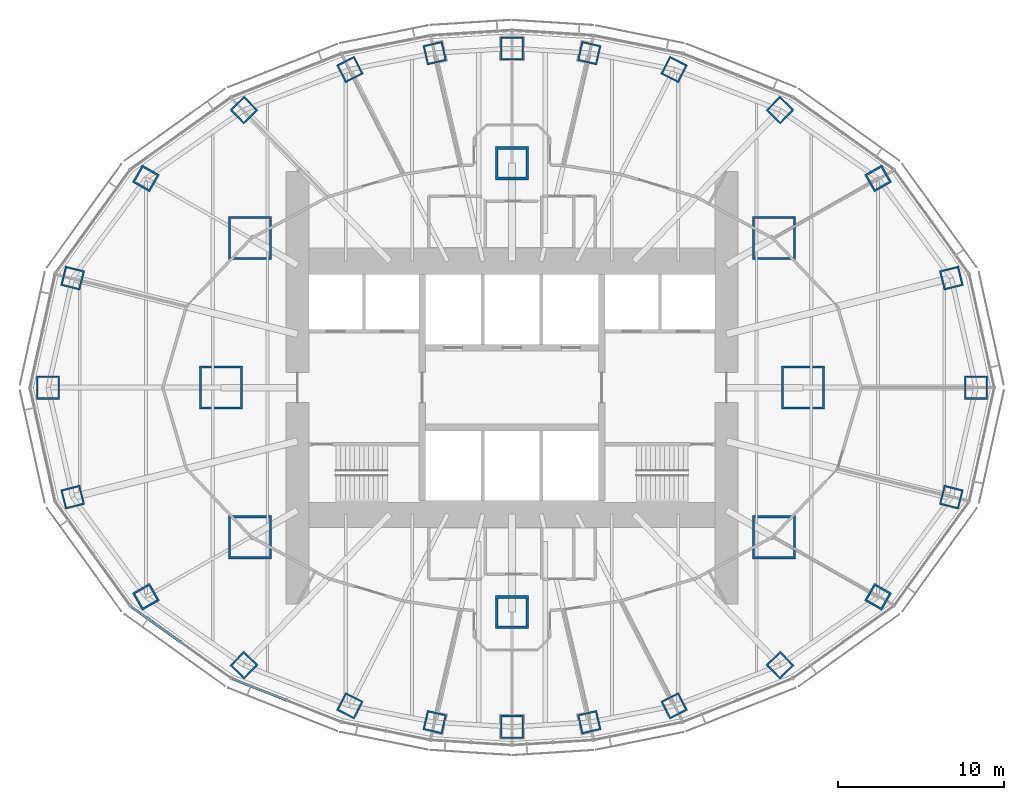
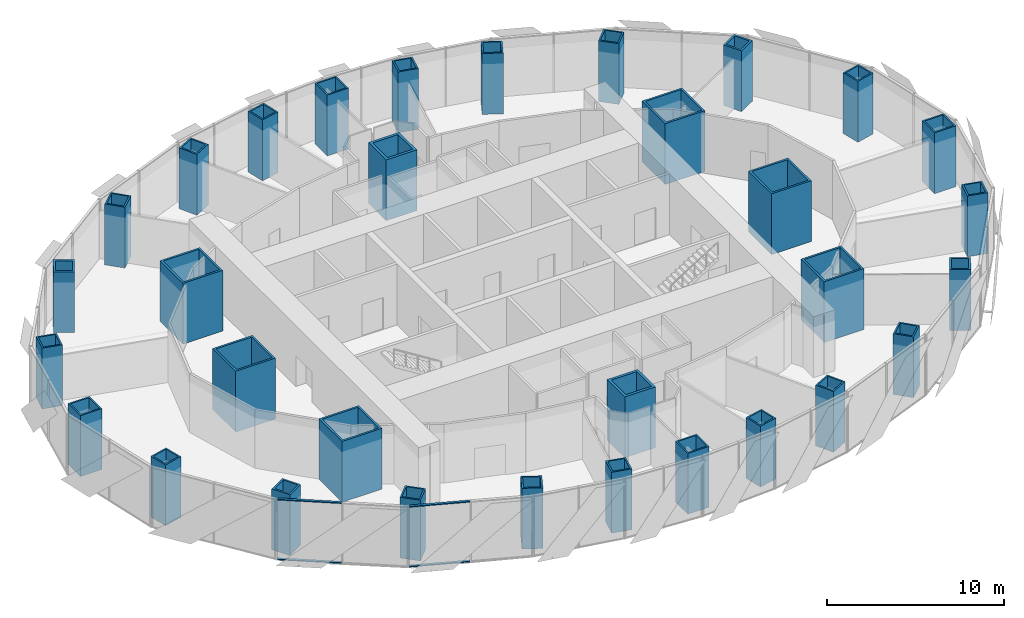
# One storey, part 1 of 18: 32 columns, 4 members, 2 elements without a shape of their own.
"""IFC4 building model written with IfcOpenShell, lengths in metres."""

from ifc_helpers import new_model, si_unit, direction, frame, origin, origin_2d, place, context, subcontext, project, spatial, rectangle, hollow_rectangle, extrude, material, material_profile, profile_set, type_object, element, aggregate, save


model = new_model("IFC4")

# Units and contexts
model_context = context("Model", 3, precision=1e-05, world=origin(), true_north=direction((0.0, 1.0)))
body_context = subcontext(model_context, "Body", "Model", "MODEL_VIEW")
ifc_project = project(units=[si_unit("LENGTHUNIT", "METRE"), si_unit("AREAUNIT", "SQUARE_METRE"), si_unit("VOLUMEUNIT", "CUBIC_METRE"), si_unit("PLANEANGLEUNIT", "RADIAN"), si_unit("MASSUNIT", "GRAM", prefix="KILO")], contexts=[model_context])

# Site, building, storey
site_placement = place(None, origin())
site = spatial("IfcSite", under=ifc_project, at=site_placement, CompositionType="ELEMENT")
building_placement = place(site_placement, origin())
building = spatial("IfcBuilding", under=site, at=building_placement, Name="Lantaw Convention Tower", CompositionType="ELEMENT")
storey_placement = place(building_placement, frame((0.0, 0.0, 142.60009765625)))
storey = spatial("IfcBuildingStorey", under=building, at=storey_placement, Name="L33", CompositionType="ELEMENT", Elevation=142.60009765625)

# Columns
ifc_material_1 = material(Name="Steel EN 10025-3 S460N", Category="steel")
ifc_material_profile_1 = material_profile(ifc_material_1, hollow_rectangle(XDim=2.0, YDim=2.0, WallThickness=0.169921875, at=origin_2d()), Name="BOX2000X170")
ifc_material_2 = material(Name="Concrete C60/75", Category="concrete")
ifc_material_profile_2 = material_profile(ifc_material_2, rectangle(XDim=1.659912109375, YDim=1.659912109375, at=origin_2d()), Name="Concrete fill of BOX2000X170")
ifc_profile_set_1 = profile_set([ifc_material_profile_1, ifc_material_profile_2], Name="Steel EN 10025-3 S460N")
column_type_1 = type_object("IfcColumnType", Name="Column MC BOX2000X170", PredefinedType="COLUMN", material=ifc_profile_set_1)
for number, where, z_axis, x_axis, name in (
    (1, (0.0, 13.5, 0.0), (0.0, 0.0, 1.0), (1.0, 0.0, 0.0), "Mega column M3"),
    (2, (0.0, -13.5, 0.0), (0.0, 0.0, 1.0), (1.0, 0.0, 0.0), "Mega column M7"),
):
    element("IfcColumn", number, at=place(storey_placement, frame(where, z_axis=z_axis, x_axis=x_axis)), inside=storey, type_object=column_type_1, Name=name, PredefinedType="COLUMN", context=body_context, shape_type="SweptSolid", body=[
        extrude(hollow_rectangle(XDim=2.0, YDim=2.0, WallThickness=0.169921875, at=origin_2d()), origin(), (0.0, 0.0, 1.0), 4.199951171875),
    ])
ifc_material_profile_3 = material_profile(ifc_material_1, hollow_rectangle(XDim=2.60009765625, YDim=2.60009765625, WallThickness=0.1298828125, at=origin_2d()), Name="BOX2600X130")
ifc_material_profile_4 = material_profile(ifc_material_2, rectangle(XDim=2.340087890625, YDim=2.340087890625, at=origin_2d()), Name="Concrete fill of BOX2600X130")
ifc_profile_set_2 = profile_set([ifc_material_profile_3, ifc_material_profile_4], Name="Steel EN 10025-3 S460N")
column_type_2 = type_object("IfcColumnType", Name="Column MC BOX2600X130", PredefinedType="COLUMN", material=ifc_profile_set_2)
for number, where, z_axis, x_axis, name in (
    (3, (17.5, 0.0, 0.0), (0.0, 0.0, 1.0), (1.0, 0.0, 0.0), "Mega column M1"),
    (4, (15.75, 9.0, 0.0), (0.0, 0.0, 1.0), (1.0, 0.0, 0.0), "Mega column M2"),
    (5, (-15.75, 9.0, 0.0), (0.0, 0.0, 1.0), (1.0, 0.0, 0.0), "Mega column M4"),
    (6, (-17.5, 0.0, 0.0), (0.0, 0.0, 1.0), (1.0, 0.0, 0.0), "Mega column M5"),
    (7, (-15.75, -9.0, 0.0), (0.0, 0.0, 1.0), (1.0, 0.0, 0.0), "Mega column M6"),
    (8, (15.75, -9.0, 0.0), (0.0, 0.0, 1.0), (1.0, 0.0, 0.0), "Mega column M8"),
):
    element("IfcColumn", number, at=place(storey_placement, frame(where, z_axis=z_axis, x_axis=x_axis)), inside=storey, type_object=column_type_2, Name=name, PredefinedType="COLUMN", context=body_context, shape_type="SweptSolid", body=[
        extrude(hollow_rectangle(XDim=2.60009765625, YDim=2.60009765625, WallThickness=0.1298828125, at=origin_2d()), origin(), (0.0, 0.0, 1.0), 4.199951171875),
    ])
ifc_material_profile_5 = material_profile(ifc_material_1, hollow_rectangle(XDim=1.199951171875, YDim=1.199951171875, WallThickness=0.10009765625, at=origin_2d()), Name="BOX1200X100")
ifc_material_profile_6 = material_profile(ifc_material_2, rectangle(XDim=1.0, YDim=1.0, at=origin_2d()), Name="Concrete fill of BOX1200X100")
ifc_profile_set_3 = profile_set([ifc_material_profile_5, ifc_material_profile_6], Name="Steel EN 10025-3 S460N")
column_type_3 = type_object("IfcColumnType", Name="Column PC BOX1200X100", PredefinedType="COLUMN", material=ifc_profile_set_3)
for number, where, z_axis, x_axis, name in (
    (9, (26.419921875, 6.587158203125, 0.0), (0.0, 0.0, 1.0), (0.970295726276, 0.2419218956, 0.0), "Perimeter column P2"),
    (10, (16.11767578125, 16.690185546875, 0.0), (0.0, 0.0, 1.0), (0.694658370459, 0.719339800339, 0.0), "Perimeter column P4"),
    (11, (9.74853515625, 19.1328125, 0.0), (0.0, 0.0, 1.0), (0.45399049974, 0.891006524188, 0.0), "Perimeter column P5"),
    (12, (4.64501953125, 20.1201171875, 0.0), (0.0, 0.0, 1.0), (0.224951054344, 0.974370064785, 0.0), "Perimeter column P6"),
    (13, (-4.64501953125, 20.1201171875, 0.0), (0.0, 0.0, 1.0), (0.974370064785, 0.224951054344, 0.0), "Perimeter column P8"),
    (14, (-9.74853515625, 19.1328125, 0.0), (0.0, 0.0, 1.0), (0.891006524188, 0.45399049974, 0.0), "Perimeter column P9"),
    (15, (-16.11767578125, 16.690185546875, 0.0), (0.0, 0.0, 1.0), (0.719339800339, 0.694658370459, 0.0), "Perimeter column P10"),
    (16, (-26.419921875, 6.587158203125, 0.0), (0.0, 0.0, 1.0), (0.2419218956, 0.970295726276, 0.0), "Perimeter column P12"),
    (17, (-26.419921875, -6.587158203125, 0.0), (0.0, 0.0, 1.0), (0.970295726276, 0.2419218956, 0.0), "Perimeter column P14"),
    (18, (-16.11767578125, -16.690185546875, 0.0), (0.0, 0.0, 1.0), (0.694658370459, 0.719339800339, 0.0), "Perimeter column P16"),
    (19, (-9.74853515625, -19.1328125, 0.0), (0.0, 0.0, 1.0), (0.45399049974, 0.891006524188, 0.0), "Perimeter column P17"),
    (20, (-4.64501953125, -20.1201171875, 0.0), (0.0, 0.0, 1.0), (0.224951054344, 0.974370064785, 0.0), "Perimeter column P18"),
    (21, (4.64501953125, -20.1201171875, 0.0), (0.0, 0.0, 1.0), (0.974370064785, 0.224951054344, 0.0), "Perimeter column P20"),
    (22, (9.74853515625, -19.1328125, 0.0), (0.0, 0.0, 1.0), (0.891006524188, 0.45399049974, 0.0), "Perimeter column P21"),
    (23, (16.11767578125, -16.690185546875, 0.0), (0.0, 0.0, 1.0), (0.719339800339, 0.694658370459, 0.0), "Perimeter column P22"),
    (24, (26.419921875, -6.587158203125, 0.0), (0.0, 0.0, 1.0), (0.2419218956, 0.970295726276, 0.0), "Perimeter column P24"),
):
    element("IfcColumn", number, at=place(storey_placement, frame(where, z_axis=z_axis, x_axis=x_axis)), inside=storey, type_object=column_type_3, Name=name, PredefinedType="COLUMN", context=body_context, shape_type="SweptSolid", body=[
        extrude(hollow_rectangle(XDim=1.199951171875, YDim=1.199951171875, WallThickness=0.10009765625, at=origin_2d()), origin(), (0.0, 0.0, 1.0), 4.199951171875),
    ])
ifc_material_profile_7 = material_profile(ifc_material_1, hollow_rectangle(XDim=1.199951171875, YDim=1.199951171875, WallThickness=0.1201171875, at=origin_2d()), Name="BOX1200X120")
ifc_material_profile_8 = material_profile(ifc_material_2, rectangle(XDim=0.9599609375, YDim=0.9599609375, at=origin_2d()), Name="Concrete fill of BOX1200X120")
ifc_profile_set_4 = profile_set([ifc_material_profile_7, ifc_material_profile_8], Name="Steel EN 10025-3 S460N")
column_type_4 = type_object("IfcColumnType", Name="Column PC BOX1200X120", PredefinedType="COLUMN", material=ifc_profile_set_4)
for number, where, z_axis, x_axis, name in (
    (25, (22.013916015625, 12.579345703125, 0.0), (0.0, 0.0, 1.0), (0.86824298017, 0.496139221777, 0.0), "Perimeter column P3"),
    (26, (-22.013916015625, 12.579345703125, 0.0), (0.0, 0.0, 1.0), (0.496139221777, 0.86824298017, 0.0), "Perimeter column P11"),
    (27, (-22.013916015625, -12.579345703125, 0.0), (0.0, 0.0, 1.0), (0.86824298017, 0.496139221777, 0.0), "Perimeter column P15"),
    (28, (22.013916015625, -12.579345703125, 0.0), (0.0, 0.0, 1.0), (0.496139221777, 0.86824298017, 0.0), "Perimeter column P23"),
):
    element("IfcColumn", number, at=place(storey_placement, frame(where, z_axis=z_axis, x_axis=x_axis)), inside=storey, type_object=column_type_4, Name=name, PredefinedType="COLUMN", context=body_context, shape_type="SweptSolid", body=[
        extrude(hollow_rectangle(XDim=1.199951171875, YDim=1.199951171875, WallThickness=0.1201171875, at=origin_2d()), origin(), (0.0, 0.0, 1.0), 4.199951171875),
    ])
ifc_material_profile_9 = material_profile(ifc_material_1, hollow_rectangle(XDim=1.39990234375, YDim=1.39990234375, WallThickness=0.10009765625, at=origin_2d()), Name="BOX1400X100")
ifc_material_profile_10 = material_profile(ifc_material_2, rectangle(XDim=1.199951171875, YDim=1.199951171875, at=origin_2d()), Name="Concrete fill of BOX1400X100")
ifc_profile_set_5 = profile_set([ifc_material_profile_9, ifc_material_profile_10], Name="Steel EN 10025-3 S460N")
column_type_5 = type_object("IfcColumnType", Name="Column PC BOX1400X100", PredefinedType="COLUMN", material=ifc_profile_set_5)
for number, where, z_axis, x_axis, name in (
    (29, (27.89990234375, 0.0, 0.0), (0.0, 0.0, 1.0), (1.0, 0.0, 0.0), "Perimeter column P1"),
    (30, (0.0, 20.39990234375, 0.0), (0.0, 0.0, 1.0), (1.0, 0.0, 0.0), "Perimeter column P7"),
    (31, (-27.89990234375, 0.0, 0.0), (0.0, 0.0, 1.0), (1.0, 0.0, 0.0), "Perimeter column P13"),
    (32, (0.0, -20.39990234375, 0.0), (0.0, 0.0, 1.0), (1.0, 0.0, 0.0), "Perimeter column P19"),
):
    element("IfcColumn", number, at=place(storey_placement, frame(where, z_axis=z_axis, x_axis=x_axis)), inside=storey, type_object=column_type_5, Name=name, PredefinedType="COLUMN", context=body_context, shape_type="SweptSolid", body=[
        extrude(hollow_rectangle(XDim=1.39990234375, YDim=1.39990234375, WallThickness=0.10009765625, at=origin_2d()), origin(), (0.0, 0.0, 1.0), 4.199951171875),
    ])

# Curtain wall, members
ifc_material_3 = material(Name="Aluminium framed curtain wall", Category="aluminium")
curtain_wall_type = type_object("IfcCurtainWallType", Name="Office curtain wall low rise, pale aluminium", PredefinedType="USERDEFINED", material=ifc_material_3)
curtain_wall_1_placement = place(storey_placement, origin())
curtain_wall_1 = element("IfcCurtainWall", 33, at=curtain_wall_1_placement, inside=storey, type_object=curtain_wall_type, Name="Office curtain wall low rise, pale aluminium L33", ObjectType="UNITISED CURTAIN WALL", PredefinedType="USERDEFINED")
ifc_material_4 = material(Name="Aluminium 6063-T6", Category="aluminium")
ifc_material_profile_11 = material_profile(ifc_material_4, rectangle(XDim=0.159912109375, YDim=0.06494140625, at=origin_2d()), Name="CW-O1 transom 65x160")
ifc_profile_set_6 = profile_set([ifc_material_profile_11], Name="Aluminium 6063-T6")
member_type = type_object("IfcMemberType", Name="CW-O1 transom 65x160", PredefinedType="USERDEFINED", material=ifc_profile_set_6)
member_1_placement = place(storey_placement, frame((-22.916259765625, -13.1630859375, -0.11767578125), z_axis=(0.813221785972, -0.581953887194, 0.0), x_axis=(0.581953887194, 0.813221785972, 0.0)))
member_1 = element("IfcMember", 34, at=member_1_placement, type_object=member_type, Name="CW-O1 transom 1.1", ObjectType="TRANSOM", PredefinedType="USERDEFINED", context=body_context, shape_type="SweptSolid", body=[
    extrude(rectangle(XDim=0.159912109375, YDim=0.06494140625, at=origin_2d()), origin(), (0.0, 0.0, 1.0), 3.645263671875),
])
member_2_placement = place(storey_placement, frame((-22.916259765625, -13.1630859375, 4.017333984375), z_axis=(0.813221785972, -0.581953887194, 0.0), x_axis=(0.581953887194, 0.813221785972, 0.0)))
member_2 = element("IfcMember", 35, at=member_2_placement, type_object=member_type, Name="CW-O1 transom 1.2", ObjectType="TRANSOM", PredefinedType="USERDEFINED", context=body_context, shape_type="SweptSolid", body=[
    extrude(rectangle(XDim=0.159912109375, YDim=0.06494140625, at=origin_2d()), origin(), (0.0, 0.0, 1.0), 3.645263671875),
])
aggregate(curtain_wall_1, [member_1, member_2])

curtain_wall_2_placement = place(storey_placement, origin())
curtain_wall_2 = element("IfcCurtainWall", 36, at=curtain_wall_2_placement, inside=storey, type_object=curtain_wall_type, Name="Office curtain wall low rise, pale aluminium L33", ObjectType="UNITISED CURTAIN WALL", PredefinedType="USERDEFINED")
member_3_placement = place(storey_placement, frame((-16.8212890625, -17.505615234375, -0.11767578125), z_axis=(0.929564188507, -0.368660303592, 0.0), x_axis=(0.368660303592, 0.929564188507, 0.0)))
member_3 = element("IfcMember", 37, at=member_3_placement, type_object=member_type, Name="CW-O1 transom 1.1", ObjectType="TRANSOM", PredefinedType="USERDEFINED", context=body_context, shape_type="SweptSolid", body=[
    extrude(rectangle(XDim=0.159912109375, YDim=0.06494140625, at=origin_2d()), origin(), (0.0, 0.0, 1.0), 3.470703125),
])
member_4_placement = place(storey_placement, frame((-16.8212890625, -17.505615234375, 4.017333984375), z_axis=(0.929564188507, -0.368660303592, 0.0), x_axis=(0.368660303592, 0.929564188507, 0.0)))
member_4 = element("IfcMember", 38, at=member_4_placement, type_object=member_type, Name="CW-O1 transom 1.2", ObjectType="TRANSOM", PredefinedType="USERDEFINED", context=body_context, shape_type="SweptSolid", body=[
    extrude(rectangle(XDim=0.159912109375, YDim=0.06494140625, at=origin_2d()), origin(), (0.0, 0.0, 1.0), 3.470703125),
])
aggregate(curtain_wall_2, [member_3, member_4])

save(model, "model.ifc")
